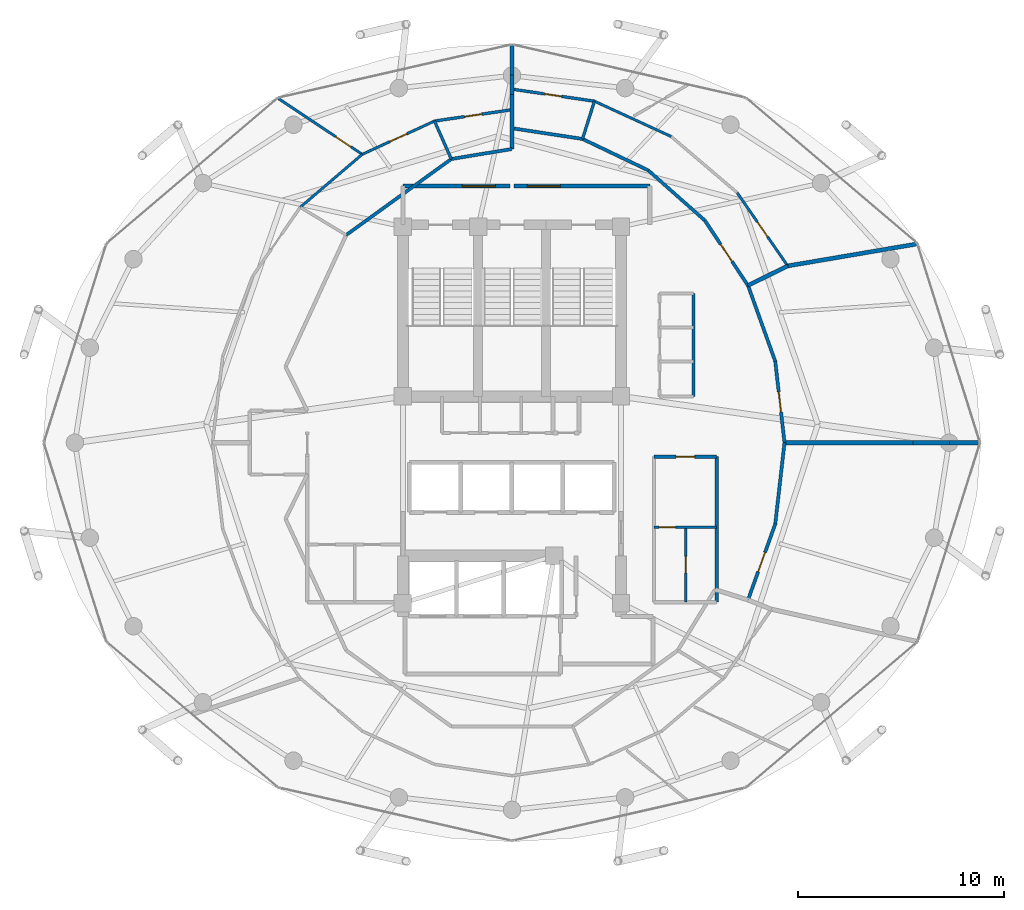
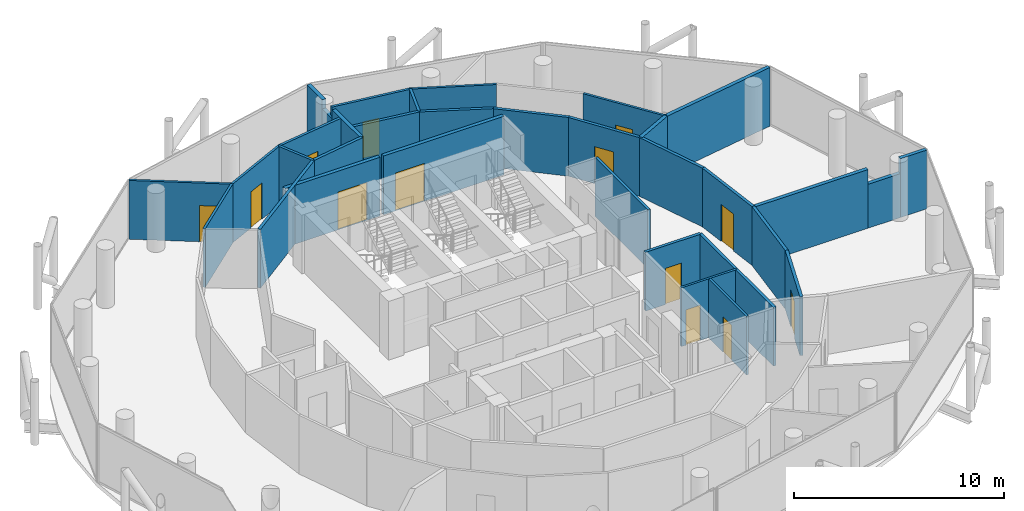
# One storey, part 25 of 27: 34 walls, 13 doors, 13 openings.
"""IFC4 building model written with IfcOpenShell, lengths in metres."""

from ifc_helpers import new_model, si_unit, direction, frame, frame_2d, origin, place, context, subcontext, project, spatial, rectangle, extrude, material, layer, layer_set, type_object, element, fill, save


model = new_model("IFC4")

# Units and contexts
model_context = context("Model", 3, precision=1e-05, world=origin(), true_north=direction((0.0, 1.0)))
body_context = subcontext(model_context, "Body", "Model", "MODEL_VIEW")
ifc_project = project(units=[si_unit("LENGTHUNIT", "METRE"), si_unit("AREAUNIT", "SQUARE_METRE"), si_unit("VOLUMEUNIT", "CUBIC_METRE"), si_unit("PLANEANGLEUNIT", "RADIAN"), si_unit("MASSUNIT", "GRAM", prefix="KILO")], contexts=[model_context])

# Site, building, storey
site_placement = place(None, origin())
site = spatial("IfcSite", under=ifc_project, at=site_placement, CompositionType="ELEMENT")
building_placement = place(site_placement, origin())
building = spatial("IfcBuilding", under=site, at=building_placement, Name="Nuhasar Tower", CompositionType="ELEMENT")
storey_placement = place(building_placement, frame((0.0, 0.0, 233.699951171875)))
storey = spatial("IfcBuildingStorey", under=building, at=storey_placement, Name="L57", CompositionType="ELEMENT", Elevation=233.699951171875)

# Wall
ifc_material_1 = material(Name="Gypsum Board", Category="gypsum")
ifc_layer_1 = layer(ifc_material_1, 0.159912109375)
ifc_layer_set_1 = layer_set([ifc_layer_1], Name="Gypsum Board")
wall_type_1 = type_object("IfcWallType", Name="WL-CORR-160", PredefinedType="PARTITIONING", material=ifc_layer_set_1)
wall_1_placement = place(storey_placement, frame((48.949951171875, 19.050048828125, 0.0), z_axis=(0.0, 0.0, 1.0), x_axis=(0.0, 1.0, 0.0)))
element("IfcWall", 1, at=wall_1_placement, inside=storey, type_object=wall_type_1, Name="L57 Interior Partition RECL-B2-E", PredefinedType="PARTITIONING", context=body_context, shape_type="SweptSolid", body=[
    extrude(rectangle(XDim=7.070068359375, YDim=0.159912109375, at=frame_2d((3.53515625, 0.0))), origin(), (0.0, 0.0, 1.0), 3.41015625),
])

# Wall, opening, door
wall_2_placement = place(storey_placement, frame((48.949951171875, 26.1201171875, 0.0), z_axis=(0.0, 0.0, 1.0), x_axis=(-1.0, 0.0, 0.0)))
wall_2 = element("IfcWall", 2, at=wall_2_placement, inside=storey, type_object=wall_type_1, Name="L57 Interior Partition RECL-B2-N", PredefinedType="PARTITIONING", context=body_context, shape_type="SweptSolid", body=[
    extrude(rectangle(XDim=3.050048828125, YDim=0.159912109375, at=frame_2d((1.52490234375, 0.0))), origin(), (0.0, 0.0, 1.0), 3.41015625),
])
opening_1_placement = place(wall_2_placement, frame((1.074951171875, 0.0, 0.0)))
opening_1 = element("IfcOpeningElement", 3, at=opening_1_placement, cuts=wall_2, Name="Opening DR-01", PredefinedType="OPENING", context=body_context, shape_type="SweptSolid", body=[
    extrude(rectangle(XDim=0.89990234375, YDim=2.10009765625, at=frame_2d((0.449951171875, 1.050048828125))), frame((0.0, 0.08984375, 0.0), z_axis=(0.0, -1.0, 0.0), x_axis=(1.0, 0.0, 0.0)), (0.0, 0.0, 1.0), 0.179931640625),
])
ifc_material_2 = material(Name="Timber Oak", Category="wood")
door_type_1 = type_object("IfcDoorType", Name="DR-ROOM-900", OperationType="NOTDEFINED", PredefinedType="DOOR", material=ifc_material_2)
door_1_placement = place(opening_1_placement, origin())
door_1 = element("IfcDoor", 4, at=door_1_placement, inside=storey, type_object=door_type_1, Name="L57 Telemetry Closet Door", OperationType="SINGLE_SWING_LEFT", OverallHeight=2.10009765625, OverallWidth=0.89990234375, PredefinedType="DOOR", context=body_context, shape_type="SweptSolid", body=[
    extrude(rectangle(XDim=0.89990234375, YDim=2.10009765625, at=frame_2d((0.449951171875, 1.050048828125))), frame((0.0, 0.02490234375, 0.0), z_axis=(0.0, -1.0, 0.0), x_axis=(1.0, 0.0, 0.0)), (0.0, 0.0, 1.0), 0.050048828125),
])
fill(opening_1, door_1)

wall_3_placement = place(storey_placement, frame((51.799072265625, 22.843017578125, 0.0), z_axis=(0.0, 0.0, 1.0), x_axis=(-0.337883151287, -0.941188066263, 0.0)))
wall_3 = element("IfcWall", 5, at=wall_3_placement, inside=storey, type_object=wall_type_1, Name="L57 Interior Partition CORR-44", PredefinedType="PARTITIONING", context=body_context, shape_type="SweptSolid", body=[
    extrude(rectangle(XDim=3.91845703125, YDim=0.159912109375, at=frame_2d((1.959228515625, 0.0))), origin(), (0.0, 0.0, 1.0), 3.41015625),
])
opening_2_placement = place(wall_3_placement, frame((1.458984375, 0.0, 0.0)))
opening_2 = element("IfcOpeningElement", 6, at=opening_2_placement, cuts=wall_3, Name="Opening DU-02", PredefinedType="OPENING", context=body_context, shape_type="SweptSolid", body=[
    extrude(rectangle(XDim=1.0, YDim=2.14990234375, at=frame_2d((0.5, 1.074951171875))), frame((0.0, 0.08984375, 0.0), z_axis=(0.0, -1.0, 0.0), x_axis=(1.0, 0.0, 0.0)), (0.0, 0.0, 1.0), 0.179931640625),
])
door_type_2 = type_object("IfcDoorType", Name="DR-FLAT-FD60-1000", OperationType="NOTDEFINED", PredefinedType="DOOR", material=ifc_material_2)
door_2_placement = place(opening_2_placement, origin())
door_2 = element("IfcDoor", 7, at=door_2_placement, inside=storey, type_object=door_type_2, Name="L57 Residents Committee Boardroom Entrance Door", OperationType="SINGLE_SWING_RIGHT", OverallHeight=2.14990234375, OverallWidth=1.0, PredefinedType="DOOR", context=body_context, shape_type="SweptSolid", body=[
    extrude(rectangle(XDim=1.0, YDim=2.14990234375, at=frame_2d((0.5, 1.074951171875))), frame((0.0, 0.02490234375, 0.0), z_axis=(0.0, -1.0, 0.0), x_axis=(1.0, 0.0, 0.0)), (0.0, 0.0, 1.0), 0.050048828125),
])
fill(opening_2, door_2)

# Wall
wall_4_placement = place(storey_placement, frame((51.799072265625, 22.843017578125, 0.0), z_axis=(0.0, 0.0, 1.0), x_axis=(0.113223284391, 0.993569568713, 0.0)))
element("IfcWall", 8, at=wall_4_placement, inside=storey, type_object=wall_type_1, Name="L57 Interior Partition CORR-46", PredefinedType="PARTITIONING", context=body_context, shape_type="SweptSolid", body=[
    extrude(rectangle(XDim=3.982666015625, YDim=0.159912109375, at=frame_2d((1.9912109375, 0.0))), origin(), (0.0, 0.0, 1.0), 3.41015625),
])

# Wall, opening, door
wall_5_placement = place(storey_placement, frame((51.799072265625, 30.757080078125, 0.0), z_axis=(0.0, 0.0, 1.0), x_axis=(0.113223284391, -0.993569568713, 0.0)))
wall_5 = element("IfcWall", 9, at=wall_5_placement, inside=storey, type_object=wall_type_1, Name="L57 Interior Partition CORR-00", PredefinedType="PARTITIONING", context=body_context, shape_type="SweptSolid", body=[
    extrude(rectangle(XDim=3.982666015625, YDim=0.159912109375, at=frame_2d((1.9912109375, 0.0))), origin(), (0.0, 0.0, 1.0), 3.41015625),
])
opening_3_placement = place(wall_5_placement, frame((1.490966796875, 0.0, 0.0)))
opening_3 = element("IfcOpeningElement", 10, at=opening_3_placement, cuts=wall_5, Name="Opening DU-02", PredefinedType="OPENING", context=body_context, shape_type="SweptSolid", body=[
    extrude(rectangle(XDim=1.0, YDim=2.14990234375, at=frame_2d((0.5, 1.074951171875))), frame((0.0, 0.08984375, 0.0), z_axis=(0.0, -1.0, 0.0), x_axis=(1.0, 0.0, 0.0)), (0.0, 0.0, 1.0), 0.179931640625),
])
door_3_placement = place(opening_3_placement, origin())
door_3 = element("IfcDoor", 11, at=door_3_placement, inside=storey, type_object=door_type_2, Name="L57 Residents Private Seminar Room Entrance Door", OperationType="SINGLE_SWING_RIGHT", OverallHeight=2.14990234375, OverallWidth=1.0, PredefinedType="DOOR", context=body_context, shape_type="SweptSolid", body=[
    extrude(rectangle(XDim=1.0, YDim=2.14990234375, at=frame_2d((0.5, 1.074951171875))), frame((0.0, 0.02490234375, 0.0), z_axis=(0.0, -1.0, 0.0), x_axis=(1.0, 0.0, 0.0)), (0.0, 0.0, 1.0), 0.050048828125),
])
fill(opening_3, door_3)

# Wall
wall_6_placement = place(storey_placement, frame((51.799072265625, 30.757080078125, 0.0), z_axis=(0.0, 0.0, 1.0), x_axis=(-0.337883151287, 0.941188066263, 0.0)))
element("IfcWall", 12, at=wall_6_placement, inside=storey, type_object=wall_type_1, Name="L57 Interior Partition CORR-02", PredefinedType="PARTITIONING", context=body_context, shape_type="SweptSolid", body=[
    extrude(rectangle(XDim=3.91845703125, YDim=0.159912109375, at=frame_2d((1.959228515625, 0.0))), origin(), (0.0, 0.0, 1.0), 3.41015625),
])

# Wall, opening, door
wall_7_placement = place(storey_placement, frame((48.368896484375, 37.612060546875, 0.0), z_axis=(0.0, 0.0, 1.0), x_axis=(0.553766624332, -0.832671919651, 0.0)))
wall_7 = element("IfcWall", 13, at=wall_7_placement, inside=storey, type_object=wall_type_1, Name="L57 Interior Partition CORR-04", PredefinedType="PARTITIONING", context=body_context, shape_type="SweptSolid", body=[
    extrude(rectangle(XDim=3.803466796875, YDim=0.159912109375, at=frame_2d((1.90185546875, 0.0))), origin(), (0.0, 0.0, 1.0), 3.41015625),
])
opening_4_placement = place(wall_7_placement, frame((1.402099609375, 0.0, 0.0)))
opening_4 = element("IfcOpeningElement", 14, at=opening_4_placement, cuts=wall_7, Name="Opening DU-02", PredefinedType="OPENING", context=body_context, shape_type="SweptSolid", body=[
    extrude(rectangle(XDim=1.0, YDim=2.14990234375, at=frame_2d((0.5, 1.074951171875))), frame((0.0, 0.08984375, 0.0), z_axis=(0.0, -1.0, 0.0), x_axis=(1.0, 0.0, 0.0)), (0.0, 0.0, 1.0), 0.179931640625),
])
door_4_placement = place(opening_4_placement, origin())
door_4 = element("IfcDoor", 15, at=door_4_placement, inside=storey, type_object=door_type_2, Name="L57 East Two-Bed Apartment 01 Entrance Door", OperationType="SINGLE_SWING_RIGHT", OverallHeight=2.14990234375, OverallWidth=1.0, PredefinedType="DOOR", context=body_context, shape_type="SweptSolid", body=[
    extrude(rectangle(XDim=1.0, YDim=2.14990234375, at=frame_2d((0.5, 1.074951171875))), frame((0.0, 0.02490234375, 0.0), z_axis=(0.0, -1.0, 0.0), x_axis=(1.0, 0.0, 0.0)), (0.0, 0.0, 1.0), 0.050048828125),
])
fill(opening_4, door_4)

# Walls
wall_8_placement = place(storey_placement, frame((48.368896484375, 37.612060546875, 0.0), z_axis=(0.0, 0.0, 1.0), x_axis=(-0.748639187354, 0.662977652081, 0.0)))
element("IfcWall", 16, at=wall_8_placement, inside=storey, type_object=wall_type_1, Name="L57 Interior Partition CORR-06", PredefinedType="PARTITIONING", context=body_context, shape_type="SweptSolid", body=[
    extrude(rectangle(XDim=3.665283203125, YDim=0.159912109375, at=frame_2d((1.83251953125, 0.0))), origin(), (0.0, 0.0, 1.0), 3.41015625),
])
wall_9_placement = place(storey_placement, frame((45.625, 40.0419921875, 0.0), z_axis=(0.0, 0.0, 1.0), x_axis=(-0.902292793428, 0.431123781445, 0.0)))
element("IfcWall", 17, at=wall_9_placement, inside=storey, type_object=wall_type_1, Name="L57 Interior Partition CORR-08", PredefinedType="PARTITIONING", context=body_context, shape_type="SweptSolid", body=[
    extrude(rectangle(XDim=3.542236328125, YDim=0.159912109375, at=frame_2d((1.77099609375, 0.0))), origin(), (0.0, 0.0, 1.0), 3.41015625),
])
wall_10_placement = place(storey_placement, frame((42.428955078125, 41.569091796875, 0.0), z_axis=(0.0, 0.0, 1.0), x_axis=(-0.988653178361, 0.150216153978, 0.0)))
element("IfcWall", 18, at=wall_10_placement, inside=storey, type_object=wall_type_1, Name="L57 Interior Partition CORR-10", PredefinedType="PARTITIONING", context=body_context, shape_type="SweptSolid", body=[
    extrude(rectangle(XDim=3.46826171875, YDim=0.159912109375, at=frame_2d((1.734130859375, 0.0))), origin(), (0.0, 0.0, 1.0), 3.41015625),
])
wall_11_placement = place(storey_placement, frame((39.0, 41.080078125, 0.0), z_axis=(0.0, 0.0, 1.0), x_axis=(-0.986650832406, -0.162850038111, 0.0)))
element("IfcWall", 19, at=wall_11_placement, inside=storey, type_object=wall_type_1, Name="L57 Interior Partition UWEST-CORE-N1-12", PredefinedType="PARTITIONING", context=body_context, shape_type="SweptSolid", body=[
    extrude(rectangle(XDim=2.990966796875, YDim=0.159912109375, at=frame_2d((1.49560546875, 0.0))), origin(), (0.0, 0.0, 1.0), 3.41015625),
])
wall_12_placement = place(storey_placement, frame((36.049072265625, 40.593017578125, 0.0), z_axis=(0.0, 0.0, 1.0), x_axis=(-0.810271736342, -0.58605436035, 0.0)))
element("IfcWall", 20, at=wall_12_placement, inside=storey, type_object=wall_type_1, Name="L57 Interior Partition UWEST-CORE-N2-14", PredefinedType="PARTITIONING", context=body_context, shape_type="SweptSolid", body=[
    extrude(rectangle(XDim=6.306640625, YDim=0.159912109375, at=frame_2d((3.1533203125, 0.0))), origin(), (0.0, 0.0, 1.0), 3.41015625),
])

# Wall, opening, door
ifc_material_3 = material(Name="Concrete C45/55", Category="concrete")
ifc_layer_2 = layer(ifc_material_3, 0.199951171875)
ifc_layer_set_2 = layer_set([ifc_layer_2], Name="Concrete C45/55")
wall_type_2 = type_object("IfcWallType", Name="WL-LOBBY-200", PredefinedType="SOLIDWALL", material=ifc_layer_set_2)
wall_13_placement = place(storey_placement, frame((38.89990234375, 39.280029296875, 0.0), z_axis=(0.0, 0.0, 1.0), x_axis=(-1.0, 0.0, 0.0)))
wall_13 = element("IfcWall", 21, at=wall_13_placement, inside=storey, type_object=wall_type_2, Name="L57 Interior Partition NSL-N1", PredefinedType="SOLIDWALL", context=body_context, shape_type="SweptSolid", body=[
    extrude(rectangle(XDim=5.199951171875, YDim=0.199951171875, at=frame_2d((2.60009765625, 0.0))), origin(), (0.0, 0.0, 1.0), 3.41015625),
])
opening_5_placement = place(wall_13_placement, frame((0.7080078125, 0.0, 0.0)))
opening_5 = element("IfcOpeningElement", 22, at=opening_5_placement, cuts=wall_13, Name="Opening DC-01", PredefinedType="OPENING", context=body_context, shape_type="SweptSolid", body=[
    extrude(rectangle(XDim=1.60009765625, YDim=2.199951171875, at=frame_2d((0.800048828125, 1.10009765625))), frame((0.0, 0.10986328125, 0.0), z_axis=(0.0, -1.0, 0.0), x_axis=(1.0, 0.0, 0.0)), (0.0, 0.0, 1.0), 0.219970703125),
])
ifc_material_4 = material(Name="Steel S355", Category="steel")
door_type_3 = type_object("IfcDoorType", Name="DR-CORR-FD60-1600", OperationType="DOUBLE_DOOR_SINGLE_SWING", PredefinedType="DOOR", material=ifc_material_4)
door_5_placement = place(opening_5_placement, origin())
door_5 = element("IfcDoor", 23, at=door_5_placement, inside=storey, type_object=door_type_3, Name="L57 North Stair Lobby West Door", OperationType="DOUBLE_DOOR_SINGLE_SWING", OverallHeight=2.199951171875, OverallWidth=1.60009765625, PredefinedType="DOOR", context=body_context, shape_type="SweptSolid", body=[
    extrude(rectangle(XDim=1.60009765625, YDim=2.199951171875, at=frame_2d((0.800048828125, 1.10009765625))), frame((0.0, 0.02490234375, 0.0), z_axis=(0.0, -1.0, 0.0), x_axis=(1.0, 0.0, 0.0)), (0.0, 0.0, 1.0), 0.050048828125),
])
fill(opening_5, door_5)

wall_14_placement = place(storey_placement, frame((45.699951171875, 39.280029296875, 0.0), z_axis=(0.0, 0.0, 1.0), x_axis=(-1.0, 0.0, 0.0)))
wall_14 = element("IfcWall", 24, at=wall_14_placement, inside=storey, type_object=wall_type_2, Name="L57 Interior Partition NSL-N2", PredefinedType="SOLIDWALL", context=body_context, shape_type="SweptSolid", body=[
    extrude(rectangle(XDim=6.599853515625, YDim=0.199951171875, at=frame_2d((3.2998046875, 0.0))), origin(), (0.0, 0.0, 1.0), 3.41015625),
])
opening_6_placement = place(wall_14_placement, frame((4.35009765625, 0.0, 0.0)))
opening_6 = element("IfcOpeningElement", 25, at=opening_6_placement, cuts=wall_14, Name="Opening DC-01", PredefinedType="OPENING", context=body_context, shape_type="SweptSolid", body=[
    extrude(rectangle(XDim=1.60009765625, YDim=2.199951171875, at=frame_2d((0.800048828125, 1.10009765625))), frame((0.0, 0.10986328125, 0.0), z_axis=(0.0, -1.0, 0.0), x_axis=(1.0, 0.0, 0.0)), (0.0, 0.0, 1.0), 0.219970703125),
])
door_6_placement = place(opening_6_placement, origin())
door_6 = element("IfcDoor", 26, at=door_6_placement, inside=storey, type_object=door_type_3, Name="L57 North Stair Lobby East Door", OperationType="DOUBLE_DOOR_SINGLE_SWING", OverallHeight=2.199951171875, OverallWidth=1.60009765625, PredefinedType="DOOR", context=body_context, shape_type="SweptSolid", body=[
    extrude(rectangle(XDim=1.60009765625, YDim=2.199951171875, at=frame_2d((0.800048828125, 1.10009765625))), frame((0.0, 0.02490234375, 0.0), z_axis=(0.0, -1.0, 0.0), x_axis=(1.0, 0.0, 0.0)), (0.0, 0.0, 1.0), 0.050048828125),
])
fill(opening_6, door_6)

ifc_layer_3 = layer(ifc_material_1, 0.125)
ifc_layer_set_3 = layer_set([ifc_layer_3], Name="Gypsum Board")
wall_type_3 = type_object("IfcWallType", Name="WL-PART-125", PredefinedType="PARTITIONING", material=ifc_layer_set_3)
wall_15_placement = place(storey_placement, frame((47.449951171875, 22.699951171875, 0.0), z_axis=(0.0, 0.0, 1.0), x_axis=(0.0, -1.0, 0.0)))
wall_15 = element("IfcWall", 27, at=wall_15_placement, inside=storey, type_object=wall_type_3, Name="L57 Interior Partition RECL-B2-V", PredefinedType="PARTITIONING", context=body_context, shape_type="SweptSolid", body=[
    extrude(rectangle(XDim=3.64990234375, YDim=0.125, at=frame_2d((1.824951171875, 0.0))), origin(), (0.0, 0.0, 1.0), 3.41015625),
])
opening_7_placement = place(wall_15_placement, frame((1.425048828125, 0.0, 0.0)))
opening_7 = element("IfcOpeningElement", 28, at=opening_7_placement, cuts=wall_15, Name="Opening DM-01", PredefinedType="OPENING", context=body_context, shape_type="SweptSolid", body=[
    extrude(rectangle(XDim=0.800048828125, YDim=2.050048828125, at=frame_2d((0.39990234375, 1.02490234375))), frame((0.0, 0.072509765625, 0.0), z_axis=(0.0, -1.0, 0.0), x_axis=(1.0, 0.0, 0.0)), (0.0, 0.0, 1.0), 0.14501953125),
])
door_type_4 = type_object("IfcDoorType", Name="DR-RISER-FD60-800", OperationType="NOTDEFINED", PredefinedType="DOOR", material=ifc_material_4)
door_7_placement = place(opening_7_placement, origin())
door_7 = element("IfcDoor", 29, at=door_7_placement, inside=storey, type_object=door_type_4, Name="L57 Archive Closet Door", OperationType="SINGLE_SWING_LEFT", OverallHeight=2.050048828125, OverallWidth=0.800048828125, PredefinedType="DOOR", context=body_context, shape_type="SweptSolid", body=[
    extrude(rectangle(XDim=0.800048828125, YDim=2.050048828125, at=frame_2d((0.39990234375, 1.02490234375))), frame((0.0, 0.02490234375, 0.0), z_axis=(0.0, -1.0, 0.0), x_axis=(1.0, 0.0, 0.0)), (0.0, 0.0, 1.0), 0.050048828125),
])
fill(opening_7, door_7)

wall_16_placement = place(storey_placement, frame((48.949951171875, 22.699951171875, 0.0), z_axis=(0.0, 0.0, 1.0), x_axis=(-1.0, 0.0, 0.0)))
wall_16 = element("IfcWall", 30, at=wall_16_placement, inside=storey, type_object=wall_type_3, Name="L57 Interior Partition RECL-B2-M", PredefinedType="PARTITIONING", context=body_context, shape_type="SweptSolid", body=[
    extrude(rectangle(XDim=3.050048828125, YDim=0.125, at=frame_2d((1.52490234375, 0.0))), origin(), (0.0, 0.0, 1.0), 3.41015625),
])
opening_8_placement = place(wall_16_placement, frame((2.0, 0.0, 0.0)))
opening_8 = element("IfcOpeningElement", 31, at=opening_8_placement, cuts=wall_16, Name="Opening DM-01", PredefinedType="OPENING", context=body_context, shape_type="SweptSolid", body=[
    extrude(rectangle(XDim=0.800048828125, YDim=2.050048828125, at=frame_2d((0.39990234375, 1.02490234375))), frame((0.0, 0.072509765625, 0.0), z_axis=(0.0, -1.0, 0.0), x_axis=(1.0, 0.0, 0.0)), (0.0, 0.0, 1.0), 0.14501953125),
])
door_8_placement = place(opening_8_placement, origin())
door_8 = element("IfcDoor", 32, at=door_8_placement, inside=storey, type_object=door_type_4, Name="L57 Trunk Store Door", OperationType="SINGLE_SWING_RIGHT", OverallHeight=2.050048828125, OverallWidth=0.800048828125, PredefinedType="DOOR", context=body_context, shape_type="SweptSolid", body=[
    extrude(rectangle(XDim=0.800048828125, YDim=2.050048828125, at=frame_2d((0.39990234375, 1.02490234375))), frame((0.0, 0.02490234375, 0.0), z_axis=(0.0, -1.0, 0.0), x_axis=(1.0, 0.0, 0.0)), (0.0, 0.0, 1.0), 0.050048828125),
])
fill(opening_8, door_8)

wall_17_placement = place(storey_placement, frame((49.946044921875, 38.955078125, 0.0), z_axis=(0.0, 0.0, 1.0), x_axis=(0.568476307332, -0.822699634133, 0.0)))
wall_17 = element("IfcWall", 33, at=wall_17_placement, inside=storey, type_object=wall_type_3, Name="L57 Interior Partition UMID-03-A-04", PredefinedType="PARTITIONING", context=body_context, shape_type="SweptSolid", body=[
    extrude(rectangle(XDim=4.327392578125, YDim=0.125, at=frame_2d((2.16357421875, 0.0))), origin(), (0.0, 0.0, 1.0), 3.41015625),
])
opening_9_placement = place(wall_17_placement, frame((1.714111328125, 0.0, 0.0)))
opening_9 = element("IfcOpeningElement", 34, at=opening_9_placement, cuts=wall_17, Name="Opening DR-01", PredefinedType="OPENING", context=body_context, shape_type="SweptSolid", body=[
    extrude(rectangle(XDim=0.89990234375, YDim=2.10009765625, at=frame_2d((0.449951171875, 1.050048828125))), frame((0.0, 0.072509765625, 0.0), z_axis=(0.0, -1.0, 0.0), x_axis=(1.0, 0.0, 0.0)), (0.0, 0.0, 1.0), 0.14501953125),
])
door_9_placement = place(opening_9_placement, origin())
door_9 = element("IfcDoor", 35, at=door_9_placement, inside=storey, type_object=door_type_1, Name="L57 U03 Living Door", OperationType="SINGLE_SWING_LEFT", OverallHeight=2.10009765625, OverallWidth=0.89990234375, PredefinedType="DOOR", context=body_context, shape_type="SweptSolid", body=[
    extrude(rectangle(XDim=0.89990234375, YDim=2.10009765625, at=frame_2d((0.449951171875, 1.050048828125))), frame((0.0, 0.02490234375, 0.0), z_axis=(0.0, -1.0, 0.0), x_axis=(1.0, 0.0, 0.0)), (0.0, 0.0, 1.0), 0.050048828125),
])
fill(opening_9, door_9)

# Wall
wall_18_placement = place(storey_placement, frame((46.739990234375, 41.68701171875, 0.0), z_axis=(0.0, 0.0, 1.0), x_axis=(-0.908499475982, 0.417885991797, 0.0)))
element("IfcWall", 36, at=wall_18_placement, inside=storey, type_object=wall_type_3, Name="L57 Interior Partition UMID-03-A-08", PredefinedType="PARTITIONING", context=body_context, shape_type="SweptSolid", body=[
    extrude(rectangle(XDim=4.10888671875, YDim=0.125, at=frame_2d((2.054443359375, 0.0))), origin(), (0.0, 0.0, 1.0), 3.41015625),
])

# Wall, opening, door
wall_19_placement = place(storey_placement, frame((31.719970703125, 40.821044921875, 0.0), z_axis=(0.0, 0.0, 1.0), x_axis=(0.908348953741, 0.418213077555, 0.0)))
wall_19 = element("IfcWall", 37, at=wall_19_placement, inside=storey, type_object=wall_type_3, Name="L57 Interior Partition USM-1-K-14", PredefinedType="PARTITIONING", context=body_context, shape_type="SweptSolid", body=[
    extrude(rectangle(XDim=3.8662109375, YDim=0.125, at=frame_2d((1.93310546875, 0.0))), origin(), (0.0, 0.0, 1.0), 3.41015625),
])
opening_10_placement = place(wall_19_placement, frame((1.48291015625, 0.0, 0.0)))
opening_10 = element("IfcOpeningElement", 38, at=opening_10_placement, cuts=wall_19, Name="Opening DR-01", PredefinedType="OPENING", context=body_context, shape_type="SweptSolid", body=[
    extrude(rectangle(XDim=0.89990234375, YDim=2.10009765625, at=frame_2d((0.449951171875, 1.050048828125))), frame((0.0, 0.072509765625, 0.0), z_axis=(0.0, -1.0, 0.0), x_axis=(1.0, 0.0, 0.0)), (0.0, 0.0, 1.0), 0.14501953125),
])
door_10_placement = place(opening_10_placement, origin())
door_10 = element("IfcDoor", 39, at=door_10_placement, inside=storey, type_object=door_type_1, Name="L57 North-West Sky Home Kitchen Door", OperationType="SINGLE_SWING_LEFT", OverallHeight=2.10009765625, OverallWidth=0.89990234375, PredefinedType="DOOR", context=body_context, shape_type="SweptSolid", body=[
    extrude(rectangle(XDim=0.89990234375, YDim=2.10009765625, at=frame_2d((0.449951171875, 1.050048828125))), frame((0.0, 0.02490234375, 0.0), z_axis=(0.0, -1.0, 0.0), x_axis=(1.0, 0.0, 0.0)), (0.0, 0.0, 1.0), 0.050048828125),
])
fill(opening_10, door_10)

# Wall
wall_20_placement = place(storey_placement, frame((31.719970703125, 40.821044921875, 0.0), z_axis=(0.0, 0.0, 1.0), x_axis=(-0.760650552049, -0.64916156515, 0.0)))
element("IfcWall", 40, at=wall_20_placement, inside=storey, type_object=wall_type_3, Name="L57 Interior Partition USM-1-K-16", PredefinedType="PARTITIONING", context=body_context, shape_type="SweptSolid", body=[
    extrude(rectangle(XDim=3.963623046875, YDim=0.125, at=frame_2d((1.98193359375, 0.0))), origin(), (0.0, 0.0, 1.0), 3.41015625),
])

# Wall, opening, door
wall_21_placement = place(storey_placement, frame((31.719970703125, 40.821044921875, 0.0), z_axis=(0.0, 0.0, 1.0), x_axis=(-0.832662714406, 0.553780465562, 0.0)))
wall_21 = element("IfcWall", 41, at=wall_21_placement, inside=storey, type_object=wall_type_3, Name="L57 Interior Partition USO-1-BD", PredefinedType="PARTITIONING", context=body_context, shape_type="SweptSolid", body=[
    extrude(rectangle(XDim=4.90234375, YDim=0.125, at=frame_2d((2.451171875, 0.0))), origin(), (0.0, 0.0, 1.0), 3.41015625),
])
opening_11_placement = place(wall_21_placement, frame((0.64990234375, 0.0, 0.0)))
opening_11 = element("IfcOpeningElement", 42, at=opening_11_placement, cuts=wall_21, Name="Opening DR-01", PredefinedType="OPENING", context=body_context, shape_type="SweptSolid", body=[
    extrude(rectangle(XDim=0.89990234375, YDim=2.10009765625, at=frame_2d((0.449951171875, 1.050048828125))), frame((0.0, 0.072509765625, 0.0), z_axis=(0.0, -1.0, 0.0), x_axis=(1.0, 0.0, 0.0)), (0.0, 0.0, 1.0), 0.14501953125),
])
door_11_placement = place(opening_11_placement, origin())
door_11 = element("IfcDoor", 43, at=door_11_placement, inside=storey, type_object=door_type_1, Name="L57 North-West Sky Home Master Bedroom Door", OperationType="SINGLE_SWING_LEFT", OverallHeight=2.10009765625, OverallWidth=0.89990234375, PredefinedType="DOOR", context=body_context, shape_type="SweptSolid", body=[
    extrude(rectangle(XDim=0.89990234375, YDim=2.10009765625, at=frame_2d((0.449951171875, 1.050048828125))), frame((0.0, 0.02490234375, 0.0), z_axis=(0.0, -1.0, 0.0), x_axis=(1.0, 0.0, 0.0)), (0.0, 0.0, 1.0), 0.050048828125),
])
fill(opening_11, door_11)

# Walls
ifc_material_5 = material(Name="Concrete C40/50 precast", Category="concrete")
ifc_layer_4 = layer(ifc_material_5, 0.199951171875)
ifc_layer_set_4 = layer_set([ifc_layer_4], Name="Concrete C40/50 precast")
wall_type_4 = type_object("IfcWallType", Name="WL-UNIT-200", PredefinedType="PARTITIONING", material=ifc_layer_set_4)
wall_22_placement = place(storey_placement, frame((39.0, 41.080078125, 0.0), z_axis=(0.0, 0.0, 1.0), x_axis=(0.0, 1.0, 0.0)))
element("IfcWall", 44, at=wall_22_placement, inside=storey, type_object=wall_type_4, Name="L57 Interior Partition URAD-12-NW", PredefinedType="PARTITIONING", context=body_context, shape_type="SweptSolid", body=[
    extrude(rectangle(XDim=2.64697265625, YDim=0.199951171875, at=frame_2d((1.323486328125, 0.0))), origin(), (0.0, 0.0, 1.0), 3.41015625),
])
wall_23_placement = place(storey_placement, frame((39.0, 43.72705078125, 0.0), z_axis=(0.0, 0.0, 1.0), x_axis=(0.0, 1.0, 0.0)))
element("IfcWall", 45, at=wall_23_placement, inside=storey, type_object=wall_type_4, Name="L57 Interior Partition URAD-12-NW", PredefinedType="PARTITIONING", context=body_context, shape_type="SweptSolid", body=[
    extrude(rectangle(XDim=0.945068359375, YDim=0.199951171875, at=frame_2d((0.47265625, 0.0))), origin(), (0.0, 0.0, 1.0), 2.880126953125),
])
wall_24_placement = place(storey_placement, frame((39.0, 44.672119140625, 0.0), z_axis=(0.0, 0.0, 1.0), x_axis=(0.0, 1.0, 0.0)))
element("IfcWall", 46, at=wall_24_placement, inside=storey, type_object=wall_type_4, Name="L57 Interior Partition URAD-12-NW", PredefinedType="PARTITIONING", context=body_context, shape_type="SweptSolid", body=[
    extrude(rectangle(XDim=1.452880859375, YDim=0.199951171875, at=frame_2d((0.7265625, 0.0))), origin(), (0.0, 0.0, 1.0), 3.41015625),
])
wall_25_placement = place(storey_placement, frame((52.25, 26.800048828125, 0.0), z_axis=(0.0, 0.0, 1.0), x_axis=(1.0, 0.0, 0.0)))
element("IfcWall", 47, at=wall_25_placement, inside=storey, type_object=wall_type_4, Name="L57 Interior Partition URAD-00", PredefinedType="PARTITIONING", context=body_context, shape_type="SweptSolid", body=[
    extrude(rectangle(XDim=6.24609375, YDim=0.199951171875, at=frame_2d((3.123046875, 0.0))), origin(), (0.0, 0.0, 1.0), 3.41015625),
])
wall_26_placement = place(storey_placement, frame((58.49609375, 26.800048828125, 0.0), z_axis=(0.0, 0.0, 1.0), x_axis=(1.0, 0.0, 0.0)))
element("IfcWall", 48, at=wall_26_placement, inside=storey, type_object=wall_type_4, Name="L57 Interior Partition URAD-00", PredefinedType="PARTITIONING", context=body_context, shape_type="SweptSolid", body=[
    extrude(rectangle(XDim=1.767822265625, YDim=0.199951171875, at=frame_2d((0.8837890625, 0.0))), origin(), (0.0, 0.0, 1.0), 2.550048828125),
])
wall_27_placement = place(storey_placement, frame((60.263916015625, 26.800048828125, 0.0), z_axis=(0.0, 0.0, 1.0), x_axis=(1.0, 0.0, 0.0)))
element("IfcWall", 49, at=wall_27_placement, inside=storey, type_object=wall_type_4, Name="L57 Interior Partition URAD-00", PredefinedType="PARTITIONING", context=body_context, shape_type="SweptSolid", body=[
    extrude(rectangle(XDim=1.461181640625, YDim=0.199951171875, at=frame_2d((0.73046875, 0.0))), origin(), (0.0, 0.0, 1.0), 3.41015625),
])
wall_28_placement = place(storey_placement, frame((50.47509765625, 34.445068359375, 0.0), z_axis=(0.0, 0.0, 1.0), x_axis=(0.897290298134, 0.441440959671, 0.0)))
element("IfcWall", 50, at=wall_28_placement, inside=storey, type_object=wall_type_4, Name="L57 Interior Partition URAD-04-S1", PredefinedType="PARTITIONING", context=body_context, shape_type="SweptSolid", body=[
    extrude(rectangle(XDim=2.15185546875, YDim=0.199951171875, at=frame_2d((1.075927734375, 0.0))), origin(), (0.0, 0.0, 1.0), 3.41015625),
])
wall_29_placement = place(storey_placement, frame((52.406005859375, 35.39501953125, 0.0), z_axis=(0.0, 0.0, 1.0), x_axis=(0.985847351821, 0.167645455968, 0.0)))
element("IfcWall", 51, at=wall_29_placement, inside=storey, type_object=wall_type_4, Name="L57 Interior Partition URAD-04-S2", PredefinedType="PARTITIONING", context=body_context, shape_type="SweptSolid", body=[
    extrude(rectangle(XDim=6.364013671875, YDim=0.199951171875, at=frame_2d((3.18212890625, 0.0))), origin(), (0.0, 0.0, 1.0), 3.41015625),
])
ifc_layer_5 = layer(ifc_material_5, 0.139892578125)
ifc_layer_set_5 = layer_set([ifc_layer_5], Name="Concrete C40/50 precast")
wall_type_5 = type_object("IfcWallType", Name="WL-WET-140", PredefinedType="PARTITIONING", material=ifc_layer_set_5)
wall_30_placement = place(storey_placement, frame((47.820068359375, 29.050048828125, 0.0), z_axis=(0.0, 0.0, 1.0), x_axis=(0.0, 1.0, 0.0)))
element("IfcWall", 52, at=wall_30_placement, inside=storey, type_object=wall_type_5, Name="L57 Interior Partition K1-NE-E", PredefinedType="PARTITIONING", context=body_context, shape_type="SweptSolid", body=[
    extrude(rectangle(XDim=5.0, YDim=0.139892578125, at=frame_2d((2.5, 0.0))), origin(), (0.0, 0.0, 1.0), 3.41015625),
])

# Wall, opening, door
wall_31_placement = place(storey_placement, frame((39.0, 43.989990234375, 0.0), z_axis=(0.0, 0.0, 1.0), x_axis=(0.989477489879, -0.144686893055, 0.0)))
wall_31 = element("IfcWall", 53, at=wall_31_placement, inside=storey, type_object=wall_type_5, Name="L57 Interior Partition UMID-03-B-10", PredefinedType="PARTITIONING", context=body_context, shape_type="SweptSolid", body=[
    extrude(rectangle(XDim=4.0498046875, YDim=0.139892578125, at=frame_2d((2.02490234375, 0.0))), origin(), (0.0, 0.0, 1.0), 3.41015625),
])
opening_12_placement = place(wall_31_placement, frame((1.60009765625, 0.0, 0.0)))
opening_12 = element("IfcOpeningElement", 54, at=opening_12_placement, cuts=wall_31, Name="Opening DB-01", PredefinedType="OPENING", context=body_context, shape_type="SweptSolid", body=[
    extrude(rectangle(XDim=0.85009765625, YDim=2.10009765625, at=frame_2d((0.425048828125, 1.050048828125))), frame((0.0, 0.080078125, 0.0), z_axis=(0.0, -1.0, 0.0), x_axis=(1.0, 0.0, 0.0)), (0.0, 0.0, 1.0), 0.159912109375),
])
door_type_5 = type_object("IfcDoorType", Name="DR-BATH-850", OperationType="NOTDEFINED", PredefinedType="DOOR", material=ifc_material_2)
door_12_placement = place(opening_12_placement, origin())
door_12 = element("IfcDoor", 55, at=door_12_placement, inside=storey, type_object=door_type_5, Name="L57 U03 Bathroom Door", OperationType="SINGLE_SWING_RIGHT", OverallHeight=2.10009765625, OverallWidth=0.85009765625, PredefinedType="DOOR", context=body_context, shape_type="SweptSolid", body=[
    extrude(rectangle(XDim=0.85009765625, YDim=2.10009765625, at=frame_2d((0.425048828125, 1.050048828125))), frame((0.0, 0.02490234375, 0.0), z_axis=(0.0, -1.0, 0.0), x_axis=(1.0, 0.0, 0.0)), (0.0, 0.0, 1.0), 0.050048828125),
])
fill(opening_12, door_12)

# Walls
wall_32_placement = place(storey_placement, frame((42.428955078125, 41.569091796875, 0.0), z_axis=(0.0, 0.0, 1.0), x_axis=(0.300499677701, 0.953781916216, 0.0)))
element("IfcWall", 56, at=wall_32_placement, inside=storey, type_object=wall_type_5, Name="L57 Interior Partition UIN-03-K", PredefinedType="PARTITIONING", context=body_context, shape_type="SweptSolid", body=[
    extrude(rectangle(XDim=1.923828125, YDim=0.139892578125, at=frame_2d((0.9619140625, 0.0))), origin(), (0.0, 0.0, 1.0), 3.41015625),
])
wall_33_placement = place(storey_placement, frame((36.049072265625, 40.593017578125, 0.0), z_axis=(0.0, 0.0, 1.0), x_axis=(-0.404959394094, 0.914334670203, 0.0)))
element("IfcWall", 57, at=wall_33_placement, inside=storey, type_object=wall_type_5, Name="L57 Interior Partition USI-1-BK", PredefinedType="PARTITIONING", context=body_context, shape_type="SweptSolid", body=[
    extrude(rectangle(XDim=2.017822265625, YDim=0.139892578125, at=frame_2d((1.0087890625, 0.0))), origin(), (0.0, 0.0, 1.0), 3.41015625),
])

# Wall, opening, door
wall_34_placement = place(storey_placement, frame((35.23193359375, 42.43798828125, 0.0), z_axis=(0.0, 0.0, 1.0), x_axis=(0.98943932281, 0.144947668062, 0.0)))
wall_34 = element("IfcWall", 58, at=wall_34_placement, inside=storey, type_object=wall_type_5, Name="L57 Interior Partition USM-1-B-12", PredefinedType="PARTITIONING", context=body_context, shape_type="SweptSolid", body=[
    extrude(rectangle(XDim=3.808349609375, YDim=0.139892578125, at=frame_2d((1.904296875, 0.0))), origin(), (0.0, 0.0, 1.0), 3.41015625),
])
opening_13_placement = place(wall_34_placement, frame((1.47900390625, 0.0, 0.0)))
opening_13 = element("IfcOpeningElement", 59, at=opening_13_placement, cuts=wall_34, Name="Opening DB-01", PredefinedType="OPENING", context=body_context, shape_type="SweptSolid", body=[
    extrude(rectangle(XDim=0.85009765625, YDim=2.10009765625, at=frame_2d((0.425048828125, 1.050048828125))), frame((0.0, 0.080078125, 0.0), z_axis=(0.0, -1.0, 0.0), x_axis=(1.0, 0.0, 0.0)), (0.0, 0.0, 1.0), 0.159912109375),
])
door_13_placement = place(opening_13_placement, origin())
door_13 = element("IfcDoor", 60, at=door_13_placement, inside=storey, type_object=door_type_5, Name="L57 North-West Sky Home En-Suite Door", OperationType="SINGLE_SWING_RIGHT", OverallHeight=2.10009765625, OverallWidth=0.85009765625, PredefinedType="DOOR", context=body_context, shape_type="SweptSolid", body=[
    extrude(rectangle(XDim=0.85009765625, YDim=2.10009765625, at=frame_2d((0.425048828125, 1.050048828125))), frame((0.0, 0.02490234375, 0.0), z_axis=(0.0, -1.0, 0.0), x_axis=(1.0, 0.0, 0.0)), (0.0, 0.0, 1.0), 0.050048828125),
])
fill(opening_13, door_13)

save(model, "model.ifc")
